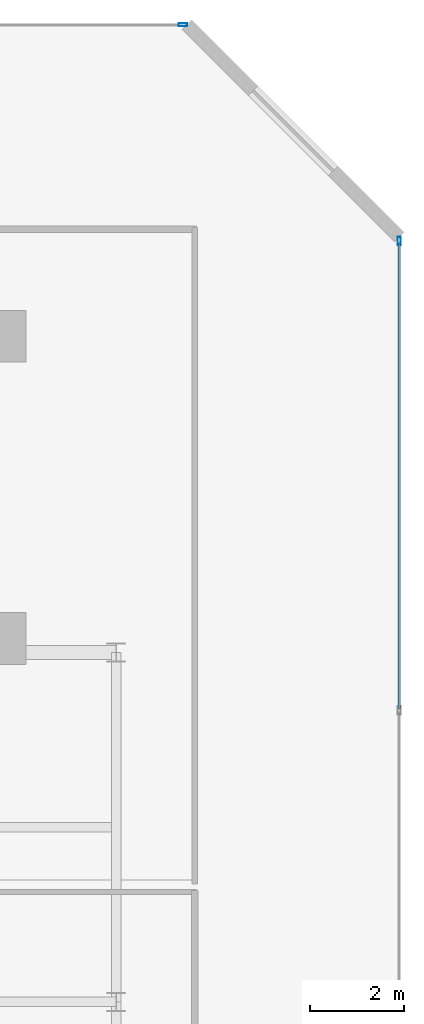
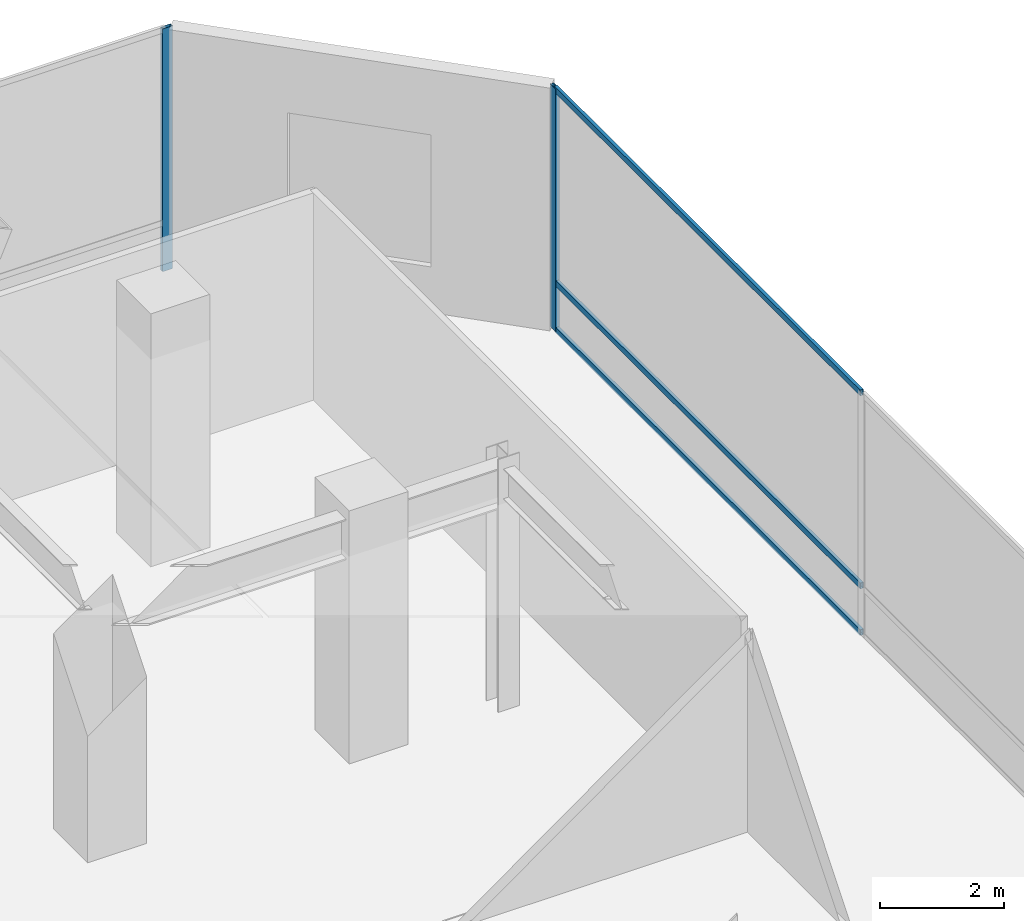
# One storey, part 29 of 42: 5 members, 2 elements without a shape of their own.
"""IFC4 building model written with IfcOpenShell, lengths in metres."""

from ifc_helpers import new_model, si_unit, direction, frame, origin, origin_2d, place, context, subcontext, project, spatial, hollow_rectangle, extrude, material, layer, layer_set, material_profile, profile_set, type_object, element, aggregate, save


model = new_model("IFC4")

# Units and contexts
model_context = context("Model", 3, precision=1e-05, world=origin(), true_north=direction((0.0, 1.0)))
body_context = subcontext(model_context, "Body", "Model", "MODEL_VIEW")
ifc_project = project(units=[si_unit("LENGTHUNIT", "METRE"), si_unit("AREAUNIT", "SQUARE_METRE"), si_unit("VOLUMEUNIT", "CUBIC_METRE"), si_unit("PLANEANGLEUNIT", "RADIAN"), si_unit("MASSUNIT", "GRAM", prefix="KILO")], contexts=[model_context])

# Site, building, storey
site_placement = place(None, origin())
site = spatial("IfcSite", under=ifc_project, at=site_placement, CompositionType="ELEMENT")
building_placement = place(site_placement, origin())
building = spatial("IfcBuilding", under=site, at=building_placement, Name="Qianvela Tower", CompositionType="ELEMENT")
storey_placement = place(building_placement, frame((0.0, 0.0, 6.0)))
storey = spatial("IfcBuildingStorey", under=building, at=storey_placement, Name="L01", CompositionType="ELEMENT", Elevation=6.0)

# Curtain wall, member
ifc_material_1 = material(Name="Anodised Architectural Aluminium and Low-E Glass", Category="aluminium")
ifc_layer = layer(ifc_material_1, 0.179931640625)
ifc_layer_set = layer_set([ifc_layer], Name="Anodised Architectural Aluminium and Low-E Glass")
curtain_wall_type = type_object("IfcCurtainWallType", Name="CW-COMMONS", PredefinedType="USERDEFINED", material=ifc_layer_set)
curtain_wall_1_placement = place(storey_placement, origin())
curtain_wall_1 = element("IfcCurtainWall", 1, at=curtain_wall_1_placement, inside=storey, type_object=curtain_wall_type, Name="L01 CW-COMMONS Curtain Wall 03", ObjectType="CURTAIN_WALL_SYSTEM", PredefinedType="USERDEFINED")
ifc_material_2 = material(Name="Anodised Architectural Aluminium 6063-T6", Category="aluminium")
ifc_material_profile_1 = material_profile(ifc_material_2, hollow_rectangle(XDim=0.070068359375, YDim=0.179931640625, WallThickness=0.0048828125, at=origin_2d()), Name="ALU-MULL-70x180")
ifc_profile_set_1 = profile_set([ifc_material_profile_1], Name="Anodised Architectural Aluminium 6063-T6")
member_type_1 = type_object("IfcMemberType", Name="CW-COMMONS-MULL", PredefinedType="MULLION", material=ifc_profile_set_1)
member_1_placement = place(storey_placement, frame((73.5, 45.9150390625, 0.0), z_axis=(0.0, 0.0, 1.0), x_axis=(-1.0, 0.0, 0.0)))
member_1 = element("IfcMember", 2, at=member_1_placement, type_object=member_type_1, Name="CW-2 mullion 5", PredefinedType="MULLION", context=body_context, shape_type="SweptSolid", body=[
    extrude(hollow_rectangle(XDim=0.070068359375, YDim=0.179931640625, WallThickness=0.0048828125, at=origin_2d()), origin(), (0.0, 0.0, 1.0), 4.780029296875),
])

curtain_wall_2_placement = place(storey_placement, origin())
curtain_wall_2 = element("IfcCurtainWall", 3, at=curtain_wall_2_placement, inside=storey, type_object=curtain_wall_type, Name="L01 CW-COMMONS Curtain Wall 05", ObjectType="CURTAIN_WALL_SYSTEM", PredefinedType="USERDEFINED")
member_2_placement = place(storey_placement, frame((68.9150390625, 50.5, 0.0), z_axis=(0.0, 0.0, 1.0), x_axis=(0.0, -1.0, 0.0)))
member_2 = element("IfcMember", 4, at=member_2_placement, type_object=member_type_1, Name="CW-2 mullion 1", PredefinedType="MULLION", context=body_context, shape_type="SweptSolid", body=[
    extrude(hollow_rectangle(XDim=0.070068359375, YDim=0.179931640625, WallThickness=0.0048828125, at=origin_2d()), origin(), (0.0, 0.0, 1.0), 4.780029296875),
])
aggregate(curtain_wall_2, [member_2])

# Member
ifc_material_3 = material(Name="Anodised Architectural Aluminium 6063-T6", Category="aluminium")
ifc_material_profile_2 = material_profile(ifc_material_3, hollow_rectangle(XDim=0.06005859375, YDim=0.114990234375, WallThickness=0.00390625, at=origin_2d()), Name="ALU-TRAN-60x115")
ifc_profile_set_2 = profile_set([ifc_material_profile_2], Name="Anodised Architectural Aluminium 6063-T6")
member_type_2 = type_object("IfcMemberType", Name="CW-COMMONS-TRAN", PredefinedType="USERDEFINED", material=ifc_profile_set_2)
member_3_placement = place(storey_placement, frame((73.5, 36.010009765625, 0.030029296875), z_axis=(0.0, 1.0, 0.0), x_axis=(-1.0, 0.0, 0.0)))
member_3 = element("IfcMember", 5, at=member_3_placement, type_object=member_type_2, Name="CW-2 transom 4.1", ObjectType="TRANSOM", PredefinedType="USERDEFINED", context=body_context, shape_type="SweptSolid", body=[
    extrude(hollow_rectangle(XDim=0.06005859375, YDim=0.114990234375, WallThickness=0.00390625, at=origin_2d()), origin(), (0.0, 0.0, 1.0), 9.869873046875),
])

member_4_placement = place(storey_placement, frame((73.5, 36.010009765625, 0.949951171875), z_axis=(0.0, 1.0, 0.0), x_axis=(-1.0, 0.0, 0.0)))
member_4 = element("IfcMember", 6, at=member_4_placement, type_object=member_type_2, Name="CW-2 transom 4.2", ObjectType="TRANSOM", PredefinedType="USERDEFINED", context=body_context, shape_type="SweptSolid", body=[
    extrude(hollow_rectangle(XDim=0.06005859375, YDim=0.114990234375, WallThickness=0.00390625, at=origin_2d()), origin(), (0.0, 0.0, 1.0), 9.869873046875),
])

member_5_placement = place(storey_placement, frame((73.5, 36.010009765625, 4.75), z_axis=(0.0, 1.0, 0.0), x_axis=(-1.0, 0.0, 0.0)))
member_5 = element("IfcMember", 7, at=member_5_placement, type_object=member_type_2, Name="CW-2 transom 4.3", ObjectType="TRANSOM", PredefinedType="USERDEFINED", context=body_context, shape_type="SweptSolid", body=[
    extrude(hollow_rectangle(XDim=0.06005859375, YDim=0.114990234375, WallThickness=0.00390625, at=origin_2d()), origin(), (0.0, 0.0, 1.0), 9.869873046875),
])

aggregate(curtain_wall_1, [member_1, member_3, member_4, member_5])

save(model, "model.ifc")
